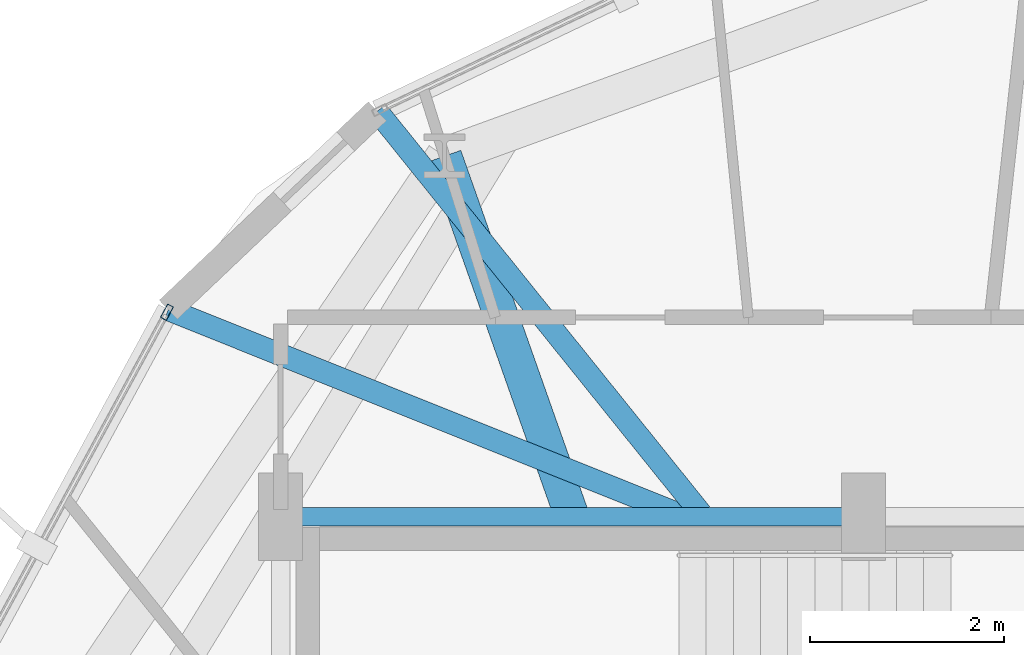
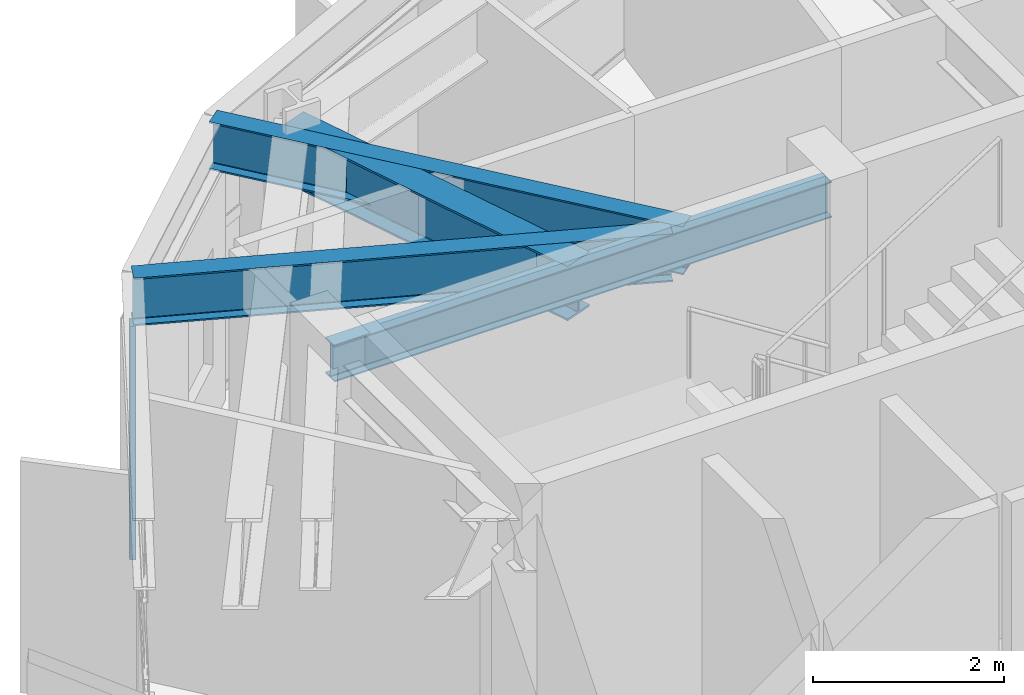
# One storey, part 10 of 25: 4 beams, 1 member, 1 element without a shape of its own.
"""IFC4 building model written with IfcOpenShell, lengths in metres."""

from ifc_helpers import new_model, si_unit, direction, frame, origin, origin_2d, place, context, subcontext, project, spatial, hollow_rectangle, i_section, extrude, material, layer, layer_set, material_profile, profile_set, type_object, element, aggregate, save


model = new_model("IFC4")

# Units and contexts
model_context = context("Model", 3, precision=1e-05, world=origin(), true_north=direction((0.0, 1.0)))
body_context = subcontext(model_context, "Body", "Model", "MODEL_VIEW")
ifc_project = project(units=[si_unit("LENGTHUNIT", "METRE"), si_unit("AREAUNIT", "SQUARE_METRE"), si_unit("VOLUMEUNIT", "CUBIC_METRE"), si_unit("PLANEANGLEUNIT", "RADIAN"), si_unit("MASSUNIT", "GRAM", prefix="KILO")], contexts=[model_context])

# Site, building, storey
site_placement = place(None, origin())
site = spatial("IfcSite", under=ifc_project, at=site_placement, CompositionType="ELEMENT")
building_placement = place(site_placement, origin())
building = spatial("IfcBuilding", under=site, at=building_placement, Name="Soratama Intermodal Tower", CompositionType="ELEMENT")
storey_placement = place(building_placement, frame((0.0, 0.0, 126.39990234375)))
storey = spatial("IfcBuildingStorey", under=building, at=storey_placement, Name="L30", CompositionType="ELEMENT", Elevation=126.39990234375)

# Beams
ifc_material_1 = material(Name="Structural steel ASTM A992 Grade 50", Category="steel")
ifc_material_profile_1 = material_profile(ifc_material_1, i_section(OverallWidth=0.19091796875, OverallDepth=0.4599609375, WebThickness=0.010009765625, FlangeThickness=0.01611328125, FilletRadius=0.010986328125, at=origin_2d()), Name="W18X55")
ifc_profile_set_1 = profile_set([ifc_material_profile_1], Name="Structural steel ASTM A992 Grade 50")
beam_type_1 = type_object("IfcBeamType", Name="BM-FLR-W18X55", PredefinedType="BEAM", material=ifc_profile_set_1)
beam_1_placement = place(storey_placement, frame((38.60009765625, 35.0, 3.3701171875), z_axis=(-1.0, 0.0, 0.0), x_axis=(0.0, -1.0, 0.0)))
element("IfcBeam", 1, at=beam_1_placement, inside=storey, type_object=beam_type_1, Name="BM-L30-CRING-07", PredefinedType="BEAM", context=body_context, shape_type="SweptSolid", body=[
    extrude(i_section(OverallWidth=0.19091796875, OverallDepth=0.4599609375, WebThickness=0.010009765625, FlangeThickness=0.01611328125, FilletRadius=0.010986328125, at=origin_2d()), origin(), (0.0, 0.0, 1.0), 6.0),
])
ifc_material_2 = material(Name="Structural steel ASTM A992 Grade 50", Category="steel")
ifc_material_profile_2 = material_profile(ifc_material_2, i_section(OverallWidth=0.35498046875, OverallDepth=0.695068359375, WebThickness=0.015380859375, FlangeThickness=0.02490234375, FilletRadius=0.01611328125, at=origin_2d()), Name="W27X146")
ifc_profile_set_2 = profile_set([ifc_material_profile_2], Name="Structural steel ASTM A992 Grade 50")
beam_type_2 = type_object("IfcBeamType", Name="BM-RING-W27X146", PredefinedType="BEAM", material=ifc_profile_set_2)
beam_2_placement = place(storey_placement, frame((35.60009765625, 35.0, 3.252685546875), z_axis=(-0.333332697239, 0.942809266475, 0.0), x_axis=(-0.942809266475, -0.333332697239, 0.0)))
element("IfcBeam", 2, at=beam_2_placement, inside=storey, type_object=beam_type_2, Name="BM-L30-RAD-04", PredefinedType="BEAM", context=body_context, shape_type="SweptSolid", body=[
    extrude(i_section(OverallWidth=0.35498046875, OverallDepth=0.695068359375, WebThickness=0.015380859375, FlangeThickness=0.02490234375, FilletRadius=0.01611328125, at=origin_2d()), origin(), (0.0, 0.0, 1.0), 3.93603515625),
])
ifc_material_3 = material(Name="Structural steel ASTM A992 Grade 50", Category="steel")
ifc_material_profile_3 = material_profile(ifc_material_3, i_section(OverallWidth=0.22900390625, OverallDepth=0.612060546875, WebThickness=0.011962890625, FlangeThickness=0.01953125, FilletRadius=0.012939453125, at=origin_2d()), Name="W24X84")
ifc_profile_set_3 = profile_set([ifc_material_profile_3], Name="Structural steel ASTM A992 Grade 50")
beam_type_3 = type_object("IfcBeamType", Name="BM-TIE-W24X84", PredefinedType="BEAM", material=ifc_profile_set_3)
beam_3_placement = place(storey_placement, frame((36.927978515625, 35.031005859375, 3.294189453125), z_axis=(-0.626888380949, 0.779109079546, 0.0), x_axis=(-0.779109079546, -0.626888380949, 0.0)))
element("IfcBeam", 3, at=beam_3_placement, inside=storey, type_object=beam_type_3, Name="BM-L30-TIE1-03", PredefinedType="BEAM", context=body_context, shape_type="SweptSolid", body=[
    extrude(i_section(OverallWidth=0.22900390625, OverallDepth=0.612060546875, WebThickness=0.011962890625, FlangeThickness=0.01953125, FilletRadius=0.012939453125, at=origin_2d()), origin(), (0.0, 0.0, 1.0), 5.315185546875),
])
beam_4_placement = place(storey_placement, frame((36.72607421875, 35.014892578125, 3.294189453125), z_axis=(-0.928343464297, 0.371723569735, 0.0), x_axis=(-0.371723569735, -0.928343464297, 0.0)))
element("IfcBeam", 4, at=beam_4_placement, inside=storey, type_object=beam_type_3, Name="BM-L30-TIE0-04", PredefinedType="BEAM", context=body_context, shape_type="SweptSolid", body=[
    extrude(i_section(OverallWidth=0.22900390625, OverallDepth=0.612060546875, WebThickness=0.011962890625, FlangeThickness=0.01953125, FilletRadius=0.012939453125, at=origin_2d()), origin(), (0.0, 0.0, 1.0), 5.689697265625),
])

# Curtain wall, member
ifc_material_4 = material(Name="Double-glazed aluminium curtain wall", Category="aluminium")
ifc_layer = layer(ifc_material_4, 0.159912109375)
ifc_layer_set = layer_set([ifc_layer], Name="Double-glazed aluminium curtain wall")
curtain_wall_type = type_object("IfcCurtainWallType", Name="CW-SYS-3", PredefinedType="NOTDEFINED", material=ifc_layer_set)
curtain_wall_placement = place(storey_placement, origin())
curtain_wall = element("IfcCurtainWall", 5, at=curtain_wall_placement, inside=storey, type_object=curtain_wall_type, Name="L30 Faceted Curtain Wall F04", PredefinedType="NOTDEFINED")
ifc_material_5 = material(Name="Anodised aluminium AA 6063-T6", Category="aluminium")
ifc_material_profile_4 = material_profile(ifc_material_5, hollow_rectangle(XDim=0.070068359375, YDim=0.159912109375, WallThickness=0.0048828125, InnerFilletRadius=0.0048828125, OuterFilletRadius=0.010009765625, at=origin_2d()), Name="CWM160X70X5")
ifc_profile_set_4 = profile_set([ifc_material_profile_4], Name="Anodised aluminium AA 6063-T6")
member_type = type_object("IfcMemberType", Name="MT-CWM-3", PredefinedType="MULLION", material=ifc_profile_set_4)
member_placement = place(storey_placement, frame((31.429931640625, 37.103515625, 0.0), z_axis=(0.0, 0.0, 1.0), x_axis=(0.878816132922, -0.477160564712, 0.0)))
member = element("IfcMember", 6, at=member_placement, type_object=member_type, Name="CW-3 mullion 1", PredefinedType="MULLION", context=body_context, shape_type="SweptSolid", body=[
    extrude(hollow_rectangle(XDim=0.070068359375, YDim=0.159912109375, WallThickness=0.0048828125, InnerFilletRadius=0.0048828125, OuterFilletRadius=0.010009765625, at=origin_2d()), origin(), (0.0, 0.0, 1.0), 2.97900390625),
])
aggregate(curtain_wall, [member])

save(model, "model.ifc")
